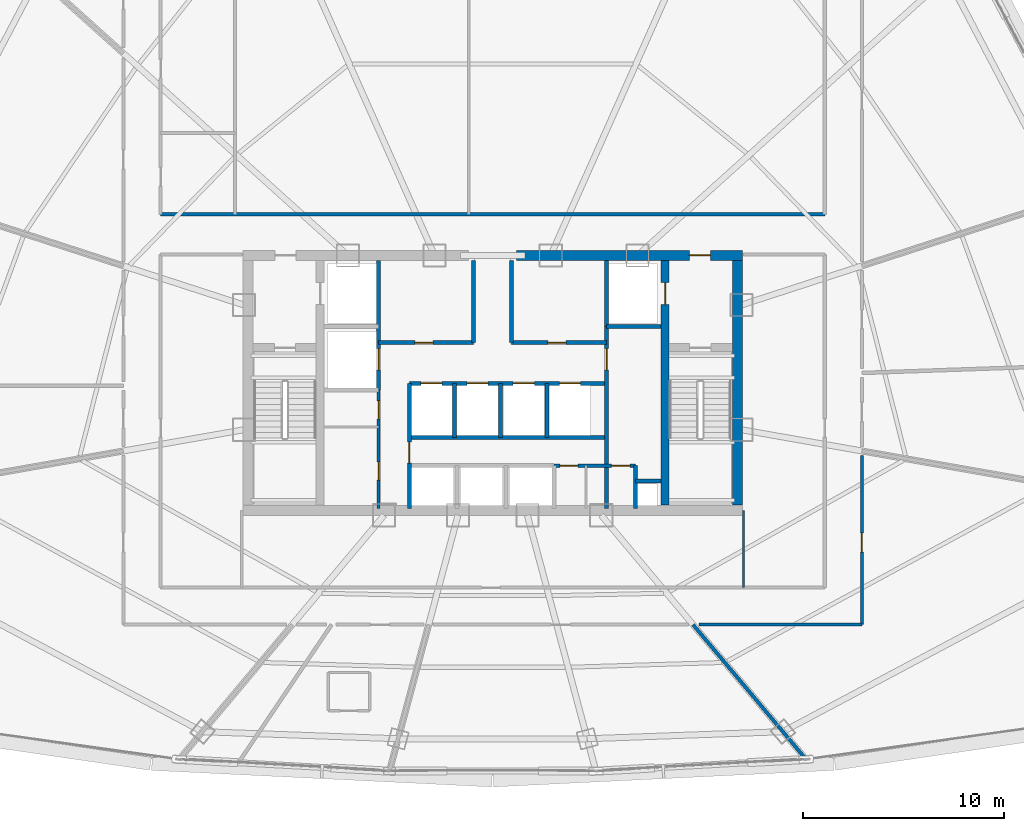
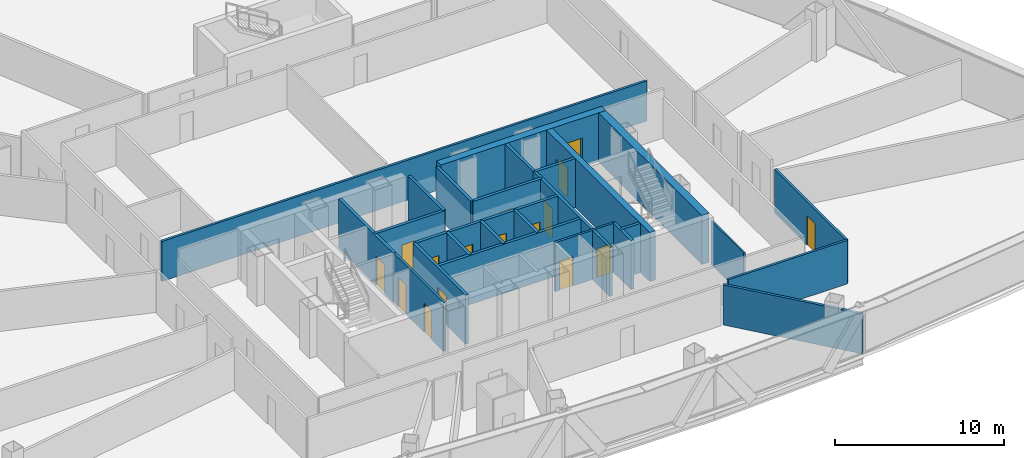
# One storey, part 32 of 38: 26 walls, 16 doors, 16 openings.
"""IFC4 building model written with IfcOpenShell, lengths in metres."""

import ifcopenshell
import ifcopenshell.guid

model = None  # the IFC model being written
_history = None  # IfcOwnerHistory: only IFC2X3 demands one
_inside = {}  # id of a spatial element -> (the spatial element, [elements in it])
_under = {}  # id of a project, library or spatial element -> (it, [spatial elements below it])
_declared = {}  # id of a project -> (the project, [libraries it declares])
_typed = {}  # id of a type object -> (the type object, [elements of that type])
_made_of = {}  # id of a material, layer set ... -> (it, [elements and type objects made of it])


def new_model(schema):
    """Start an empty IFC model of exactly this schema.

    Asked for "IFC4X3", IfcOpenShell would pick the latest addendum, in which some entities
    have other attributes; the version numbers below select the first issue.
    IFC2X3 requires an IfcOwnerHistory on every rooted entity: one is made here for all.
    """
    global model, _history
    if schema == "IFC4X3":
        model = ifcopenshell.file(schema_version=(4, 3, 0, 0))
    else:
        model = ifcopenshell.file(schema=schema)
    _inside.clear()
    _under.clear()
    _declared.clear()
    _typed.clear()
    _made_of.clear()
    _history = None
    if model.schema == "IFC2X3":
        org = make("IfcOrganization", Name="unknown")
        user = make(
            "IfcPersonAndOrganization",
            ThePerson=make("IfcPerson", FamilyName="unknown"),
            TheOrganization=org,
        )
        app = make(
            "IfcApplication",
            ApplicationDeveloper=org,
            Version="unknown",
            ApplicationFullName="unknown",
            ApplicationIdentifier="unknown",
        )
        _history = make(
            "IfcOwnerHistory",
            OwningUser=user,
            OwningApplication=app,
            ChangeAction="ADDED",
            CreationDate=0,
        )
    return model


def make(cls, **values):
    """One entity of the class cls with the attributes given. An attribute that is None is left unset."""
    return model.create_entity(
        cls, **{name: value for name, value in values.items() if value is not None}
    )


def rooted(cls, **values):
    """An entity with a GlobalId (a new one), such as an element, a storey or a relation."""
    return make(cls, GlobalId=ifcopenshell.guid.new(), OwnerHistory=_history, **values)


def si_unit(unit_type, name, prefix=None):
    """IfcSIUnit, for example si_unit("LENGTHUNIT", "METRE", prefix="MILLI")."""
    return make("IfcSIUnit", UnitType=unit_type, Prefix=prefix, Name=name)


def assignment(units):
    """IfcUnitAssignment: the units of a project."""
    return None if units is None else make("IfcUnitAssignment", Units=units)


def point(xyz):
    """IfcCartesianPoint."""
    return None if xyz is None else make("IfcCartesianPoint", Coordinates=xyz)


def direction(xyz):
    """IfcDirection."""
    return None if xyz is None else make("IfcDirection", DirectionRatios=xyz)


def frame(location, z_axis=None, x_axis=None):
    """IfcAxis2Placement3D, a coordinate frame: its origin and axes. An axis left out is left unset."""
    return make(
        "IfcAxis2Placement3D",
        Location=point(location),
        Axis=direction(z_axis),
        RefDirection=direction(x_axis),
    )


def frame_2d(location, x_axis=None):
    """IfcAxis2Placement2D, a coordinate frame in the plane: its origin and x axis."""
    return make(
        "IfcAxis2Placement2D", Location=point(location), RefDirection=direction(x_axis)
    )


def origin():
    """The frame at (0, 0, 0) with its axes left unset."""
    return frame((0.0, 0.0, 0.0))


def origin_with_axes():
    """The frame at (0, 0, 0) with the z axis (0, 0, 1) and the x axis (1, 0, 0) written out."""
    return frame((0.0, 0.0, 0.0), z_axis=(0.0, 0.0, 1.0), x_axis=(1.0, 0.0, 0.0))


def place(relative_to, where):
    """IfcLocalPlacement: puts the frame where relative to a parent placement (None: the world)."""
    return make(
        "IfcLocalPlacement", PlacementRelTo=relative_to, RelativePlacement=where
    )


def context(
    kind, dimensions, precision=None, world=None, true_north=None, identifier=None
):
    """IfcGeometricRepresentationContext, for example the 3D "Model" context."""
    return make(
        "IfcGeometricRepresentationContext",
        ContextIdentifier=identifier,
        ContextType=kind,
        CoordinateSpaceDimension=dimensions,
        Precision=precision,
        WorldCoordinateSystem=world,
        TrueNorth=true_north,
    )


def subcontext(parent, identifier, kind, view, scale=None):
    """IfcGeometricRepresentationSubContext, for example "Body" below "Model"."""
    return make(
        "IfcGeometricRepresentationSubContext",
        ContextIdentifier=identifier,
        ContextType=kind,
        ParentContext=parent,
        TargetScale=scale,
        TargetView=view,
    )


def project(units=None, contexts=None):
    """IfcProject with its units and contexts."""
    return rooted(
        "IfcProject",
        Name="project",
        RepresentationContexts=contexts,
        UnitsInContext=assignment(units),
    )


def spatial(cls, under=None, at=None, **own):
    """A site, building, storey or space (cls), placed at a placement, below another one or the project."""
    s = rooted(cls, ObjectPlacement=at, **own)
    if under is not None:
        _under.setdefault(under.id(), (under, []))[1].append(s)
    return s


def profile(cls, at=None, kind="AREA", **sizes):
    """A parametric profile (cls). Its sizes go by their IFC names, for example OverallWidth=200.0."""
    return make(cls, ProfileType=kind, Position=at, **sizes)


def rectangle(**sizes):
    """IfcRectangleProfileDef."""
    return profile("IfcRectangleProfileDef", **sizes)


def extrude(swept, where, along, depth):
    """IfcExtrudedAreaSolid: the profile swept, set in the frame where, extruded along a direction by depth."""
    return make(
        "IfcExtrudedAreaSolid",
        SweptArea=swept,
        Position=where,
        ExtrudedDirection=direction(along),
        Depth=depth,
    )


def shape(context_of_items, identifier, shape_type, items):
    """IfcShapeRepresentation: the items that make up one representation, for example the "Body"."""
    return make(
        "IfcShapeRepresentation",
        ContextOfItems=context_of_items,
        RepresentationIdentifier=identifier,
        RepresentationType=shape_type,
        Items=items,
    )


def source(mapping_origin, context_of_items, identifier, shape_type, items):
    """IfcRepresentationMap: a shape defined once, which mapped items show again and again."""
    return make(
        "IfcRepresentationMap",
        MappingOrigin=mapping_origin,
        MappedRepresentation=shape(context_of_items, identifier, shape_type, items),
    )


def transform(
    local_origin,
    x_axis=None,
    y_axis=None,
    z_axis=None,
    scale=None,
    scale2=None,
    scale3=None,
    uniform=True,
):
    """IfcCartesianTransformationOperator3D, or its non-uniform kind. x_axis, y_axis, z_axis: its Axis1, 2, 3."""
    if uniform:
        return make(
            "IfcCartesianTransformationOperator3D",
            Axis1=direction(x_axis),
            Axis2=direction(y_axis),
            LocalOrigin=point(local_origin),
            Scale=scale,
            Axis3=direction(z_axis),
        )
    return make(
        "IfcCartesianTransformationOperator3DnonUniform",
        Axis1=direction(x_axis),
        Axis2=direction(y_axis),
        LocalOrigin=point(local_origin),
        Scale=scale,
        Axis3=direction(z_axis),
        Scale2=scale2,
        Scale3=scale3,
    )


def mapped(mapping_source, mapping_target):
    """IfcMappedItem: shows the shape of a source again, moved by a transform."""
    return make(
        "IfcMappedItem", MappingSource=mapping_source, MappingTarget=mapping_target
    )


def material(Name=None, Category=None):
    """IfcMaterial."""
    return make("IfcMaterial", Name=Name, Category=Category)


def layer(
    of_material, thickness, ventilated=None, Name=None, Category=None, Priority=None
):
    """IfcMaterialLayer: one layer of a wall or slab, of a material (None: an air gap)."""
    return make(
        "IfcMaterialLayer",
        Material=of_material,
        LayerThickness=thickness,
        IsVentilated=ventilated,
        Name=Name,
        Category=Category,
        Priority=Priority,
    )


def layer_set(layers, Name=None):
    """IfcMaterialLayerSet."""
    return make("IfcMaterialLayerSet", MaterialLayers=layers, LayerSetName=Name)


def made_of(thing, what):
    """Note that an element or type object is made of a material, layer set ...; save() writes the relation."""
    if what is not None:
        _made_of.setdefault(what.id(), (what, []))[1].append(thing)
    return thing


def type_object(cls, material=None, **own):
    """A type object (cls), such as IfcWallType, which elements share."""
    return made_of(rooted(cls, **own), material)


def element(
    cls,
    number,
    at=None,
    inside=None,
    cuts=None,
    type_object=None,
    material=None,
    context=None,
    identifier="Body",
    shape_type=None,
    held_by="IfcProductDefinitionShape",
    body=None,
    shapes=None,
    **own,
):
    """One element of the class cls, such as IfcWall. Its Tag is "e" and its number.

    at: its placement. inside: the storey or other place that contains it. cuts: it is an
    opening in that element (IfcRelVoidsElement). A single representation is given by context,
    identifier, shape_type and body (its items); several are given by shapes. held_by: the class
    of the entity that holds the representations. save() writes the other relations.
    """
    e = rooted(cls, Tag="e%d" % number, ObjectPlacement=at, **own)
    if body is not None:
        shapes = [shape(context, identifier, shape_type, body)]
    if shapes is not None:
        e.Representation = make(held_by, Representations=shapes)
    if inside is not None:
        _inside.setdefault(inside.id(), (inside, []))[1].append(e)
    if cuts is not None:
        rooted(
            "IfcRelVoidsElement", RelatingBuildingElement=cuts, RelatedOpeningElement=e
        )
    if type_object is not None:
        _typed.setdefault(type_object.id(), (type_object, []))[1].append(e)
    return made_of(e, material)


def fill(opening, filler):
    """IfcRelFillsElement: the door or window that sits in an opening."""
    return rooted(
        "IfcRelFillsElement",
        RelatingOpeningElement=opening,
        RelatedBuildingElement=filler,
    )


def aggregate(whole, parts):
    """IfcRelAggregates: a whole, such as a stair, and the parts it consists of."""
    return rooted("IfcRelAggregates", RelatingObject=whole, RelatedObjects=parts)


def save(model, path):
    """Write the relations noted so far, then the file.

    IfcRelAggregates (storeys below a building ...), IfcRelContainedInSpatialStructure (elements
    in a storey), IfcRelDefinesByType, IfcRelAssociatesMaterial and IfcRelDeclares: one each for
    every whole, place, type object, material and project.
    """
    for whole, parts in _under.values():
        aggregate(whole, parts)
    for where, things in _inside.values():
        rooted(
            "IfcRelContainedInSpatialStructure",
            RelatedElements=things,
            RelatingStructure=where,
        )
    for kind, things in _typed.values():
        rooted("IfcRelDefinesByType", RelatedObjects=things, RelatingType=kind)
    for what, things in _made_of.values():
        rooted("IfcRelAssociatesMaterial", RelatedObjects=things, RelatingMaterial=what)
    for by, libraries in _declared.values():
        rooted("IfcRelDeclares", RelatingContext=by, RelatedDefinitions=libraries)
    model.write(path)


model = new_model("IFC4")

# Units and contexts
model_context = context("Model", 3, precision=1e-05, world=origin(), true_north=direction((0.0, 1.0)))
body_context = subcontext(model_context, "Body", "Model", "MODEL_VIEW")
ifc_project = project(units=[si_unit("LENGTHUNIT", "METRE"), si_unit("AREAUNIT", "SQUARE_METRE"), si_unit("VOLUMEUNIT", "CUBIC_METRE"), si_unit("PLANEANGLEUNIT", "RADIAN"), si_unit("MASSUNIT", "GRAM", prefix="KILO"), si_unit("THERMODYNAMICTEMPERATUREUNIT", "KELVIN"), si_unit("POWERUNIT", "WATT")], contexts=[model_context])

# Site, building, storey
site_placement = place(None, origin())
site = spatial("IfcSite", under=ifc_project, at=site_placement, CompositionType="ELEMENT")
building_placement = place(site_placement, origin())
building = spatial("IfcBuilding", under=site, at=building_placement, Name="Yunzhuo Pagoda Commons", CompositionType="ELEMENT")
storey_placement = place(building_placement, frame((0.0, 0.0, 203.760009765625)))
storey = spatial("IfcBuildingStorey", under=building, at=storey_placement, Name="L51", CompositionType="ELEMENT", Elevation=203.760009765625)

# Wall, opening, door
ifc_material_1 = material(Name="Concrete C50", Category="concrete")
ifc_layer_1 = layer(ifc_material_1, 0.5)
ifc_layer_set_1 = layer_set([ifc_layer_1], Name="Concrete C50")
wall_type_1 = type_object("IfcWallType", Name="W-C03 Upper Core Shear Wall 500", PredefinedType="SHEAR", material=ifc_layer_set_1)
wall_1_placement = place(storey_placement, frame((49.199951171875, 40.199951171875, 0.0), z_axis=(0.0, 0.0, 1.0), x_axis=(1.0, 0.0, 0.0)))
wall_1 = element("IfcWall", 1, at=wall_1_placement, inside=storey, type_object=wall_type_1, Name="L51 core shear wall NE", PredefinedType="SHEAR", context=body_context, shape_type="SweptSolid", body=[
    extrude(rectangle(XDim=11.25, YDim=0.5, at=frame_2d((5.625, 0.0))), origin(), (0.0, 0.0, 1.0), 3.5400390625),
])
opening_1_placement = place(wall_1_placement, frame((8.60009765625, 0.0, 0.0)))
opening_1 = element("IfcOpeningElement", 2, at=opening_1_placement, cuts=wall_1, Name="Opening D-02", PredefinedType="OPENING", context=body_context, shape_type="SweptSolid", body=[
    extrude(rectangle(XDim=1.050048828125, YDim=2.10009765625, at=frame_2d((0.52490234375, 1.050048828125))), frame((0.0, 0.260009765625, 0.0), z_axis=(0.0, -1.0, 0.0), x_axis=(1.0, 0.0, 0.0)), (0.0, 0.0, 1.0), 0.52001953125),
])
ifc_material_2 = material(Name="Galvanized fire-resisting metal leaf")
door_type_1 = type_object("IfcDoorType", Name="D-02 Firefighting Lobby & Refuge Fire Door 1050x2100", OperationType="NOTDEFINED", PredefinedType="DOOR", material=ifc_material_2)
shared_shape_1 = source(origin(), body_context, "Body", "SweptSolid", [
    extrude(rectangle(XDim=1.050048828125, YDim=2.10009765625, at=frame_2d((0.52490234375, 1.050048828125))), frame((0.0, 0.02490234375, 0.0), z_axis=(0.0, -1.0, 0.0), x_axis=(1.0, 0.0, 0.0)), (0.0, 0.0, 1.0), 0.050048828125),
])
door_1_placement = place(opening_1_placement, frame((1.050048828125, 0.0, 0.0), z_axis=(0.0, 0.0, 1.0), x_axis=(-1.0, 0.0, 0.0)))
door_1 = element("IfcDoor", 3, at=door_1_placement, inside=storey, type_object=door_type_1, Name="L51 Firefighting Lobby 2 fire door", OperationType="SINGLE_SWING_RIGHT", OverallHeight=2.10009765625, OverallWidth=1.050048828125, PredefinedType="DOOR", context=body_context, shape_type="MappedRepresentation", body=[
    mapped(shared_shape_1, transform((0.0, 0.0, 0.0), scale=1.0)),
])
fill(opening_1, door_1)

# Wall
wall_2_placement = place(storey_placement, frame((60.199951171875, 27.75, 0.0), z_axis=(0.0, 0.0, 1.0), x_axis=(0.0, 1.0, 0.0)))
element("IfcWall", 4, at=wall_2_placement, inside=storey, type_object=wall_type_1, Name="L51 core shear wall E", PredefinedType="SHEAR", context=body_context, shape_type="SweptSolid", body=[
    extrude(rectangle(XDim=12.199951171875, YDim=0.5, at=frame_2d((6.10009765625, 0.0))), origin(), (0.0, 0.0, 1.0), 3.5400390625),
])

# Wall, openings, doors
ifc_material_3 = material(Name="Gypsum plasterboard on acoustic stud")
ifc_layer_2 = layer(ifc_material_3, 0.155029296875)
ifc_layer_set_2 = layer_set([ifc_layer_2], Name="Gypsum plasterboard on acoustic stud")
wall_type_2 = type_object("IfcWallType", Name="W-COR2 Mid-Zone Rated Corridor Wall 155", PredefinedType="PARTITIONING", material=ifc_layer_set_2)
wall_3_placement = place(storey_placement, frame((42.320068359375, 27.60009765625, 0.0), z_axis=(0.0, 0.0, 1.0), x_axis=(0.0, 1.0, 0.0)))
wall_3 = element("IfcWall", 5, at=wall_3_placement, inside=storey, type_object=wall_type_2, Name="L51 interior wall IW-L51-CSWE", PredefinedType="PARTITIONING", context=body_context, shape_type="SweptSolid", body=[
    extrude(rectangle(XDim=5.89990234375, YDim=0.155029296875, at=frame_2d((2.949951171875, 0.0))), origin(), (0.0, 0.0, 1.0), 3.5400390625),
])
opening_2_placement = place(wall_3_placement, frame((1.39990234375, 0.0, 0.0)))
opening_2 = element("IfcOpeningElement", 6, at=opening_2_placement, cuts=wall_3, Name="Opening D-03", PredefinedType="OPENING", context=body_context, shape_type="SweptSolid", body=[
    extrude(rectangle(XDim=0.89990234375, YDim=2.10009765625, at=frame_2d((0.449951171875, 1.050048828125))), frame((0.0, 0.08740234375, 0.0), z_axis=(0.0, -1.0, 0.0), x_axis=(1.0, 0.0, 0.0)), (0.0, 0.0, 1.0), 0.175048828125),
])
opening_3_placement = place(wall_3_placement, frame((4.449951171875, 0.0, 0.0)))
opening_3 = element("IfcOpeningElement", 7, at=opening_3_placement, cuts=wall_3, Name="Opening D-03", PredefinedType="OPENING", context=body_context, shape_type="SweptSolid", body=[
    extrude(rectangle(XDim=0.89990234375, YDim=2.10009765625, at=frame_2d((0.449951171875, 1.050048828125))), frame((0.0, 0.08740234375, 0.0), z_axis=(0.0, -1.0, 0.0), x_axis=(1.0, 0.0, 0.0)), (0.0, 0.0, 1.0), 0.175048828125),
])
door_type_2 = type_object("IfcDoorType", Name="D-03 Core Service Fire Door 900x2100", OperationType="NOTDEFINED", PredefinedType="DOOR", material=ifc_material_2)
shared_shape_2 = source(origin(), body_context, "Body", "SweptSolid", [
    extrude(rectangle(XDim=0.89990234375, YDim=2.10009765625, at=frame_2d((0.449951171875, 1.050048828125))), frame((0.0, 0.02490234375, 0.0), z_axis=(0.0, -1.0, 0.0), x_axis=(1.0, 0.0, 0.0)), (0.0, 0.0, 1.0), 0.050048828125),
])
door_2_placement = place(opening_2_placement, origin_with_axes())
door_2 = element("IfcDoor", 8, at=door_2_placement, inside=storey, type_object=door_type_2, Name="L51 service store door", OperationType="SINGLE_SWING_LEFT", OverallHeight=2.10009765625, OverallWidth=0.89990234375, PredefinedType="DOOR", context=body_context, shape_type="MappedRepresentation", body=[
    mapped(shared_shape_2, transform((0.0, 0.0, 0.0), scale=1.0)),
])
fill(opening_2, door_2)
door_3_placement = place(opening_3_placement, origin_with_axes())
door_3 = element("IfcDoor", 9, at=door_3_placement, inside=storey, type_object=door_type_2, Name="L51 switch closet door", OperationType="SINGLE_SWING_RIGHT", OverallHeight=2.10009765625, OverallWidth=0.89990234375, PredefinedType="DOOR", context=body_context, shape_type="MappedRepresentation", body=[
    mapped(shared_shape_2, transform((0.0, 0.0, 0.0), scale=1.0)),
])
fill(opening_3, door_3)

wall_4_placement = place(storey_placement, frame((51.050048828125, 29.719970703125, 0.0), z_axis=(0.0, 0.0, 1.0), x_axis=(1.0, 0.0, 0.0)))
wall_4 = element("IfcWall", 10, at=wall_4_placement, inside=storey, type_object=wall_type_2, Name="L51 interior wall IW-L51-CSES", PredefinedType="PARTITIONING", context=body_context, shape_type="SweptSolid", body=[
    extrude(rectangle(XDim=4.070068359375, YDim=0.155029296875, at=frame_2d((2.03515625, 0.0))), origin(), (0.0, 0.0, 1.0), 3.5400390625),
])
opening_4_placement = place(wall_4_placement, frame((0.300048828125, 0.0, 0.0)))
opening_4 = element("IfcOpeningElement", 11, at=opening_4_placement, cuts=wall_4, Name="Opening D-03", PredefinedType="OPENING", context=body_context, shape_type="SweptSolid", body=[
    extrude(rectangle(XDim=0.89990234375, YDim=2.10009765625, at=frame_2d((0.449951171875, 1.050048828125))), frame((0.0, 0.08740234375, 0.0), z_axis=(0.0, -1.0, 0.0), x_axis=(1.0, 0.0, 0.0)), (0.0, 0.0, 1.0), 0.175048828125),
])
opening_5_placement = place(wall_4_placement, frame((2.860107421875, 0.0, 0.0)))
opening_5 = element("IfcOpeningElement", 12, at=opening_5_placement, cuts=wall_4, Name="Opening D-11", PredefinedType="OPENING", context=body_context, shape_type="SweptSolid", body=[
    extrude(rectangle(XDim=0.93994140625, YDim=2.10009765625, at=frame_2d((0.469970703125, 1.050048828125))), frame((0.0, 0.08740234375, 0.0), z_axis=(0.0, -1.0, 0.0), x_axis=(1.0, 0.0, 0.0)), (0.0, 0.0, 1.0), 0.175048828125),
])
door_4_placement = place(opening_4_placement, origin_with_axes())
door_4 = element("IfcDoor", 13, at=door_4_placement, inside=storey, type_object=door_type_2, Name="L51 cleaner door", OperationType="SINGLE_SWING_LEFT", OverallHeight=2.10009765625, OverallWidth=0.89990234375, PredefinedType="DOOR", context=body_context, shape_type="MappedRepresentation", body=[
    mapped(shared_shape_2, transform((0.0, 0.0, 0.0), scale=1.0)),
])
fill(opening_4, door_4)
door_type_3 = type_object("IfcDoorType", Name="D-11 Accessible Washroom Fire Door 940x2100", OperationType="NOTDEFINED", PredefinedType="DOOR", material=ifc_material_2)
shared_shape_3 = source(origin(), body_context, "Body", "SweptSolid", [
    extrude(rectangle(XDim=0.93994140625, YDim=2.10009765625, at=frame_2d((0.469970703125, 1.050048828125))), frame((0.0, 0.02490234375, 0.0), z_axis=(0.0, -1.0, 0.0), x_axis=(1.0, 0.0, 0.0)), (0.0, 0.0, 1.0), 0.050048828125),
])
door_5_placement = place(opening_5_placement, origin_with_axes())
door_5 = element("IfcDoor", 14, at=door_5_placement, inside=storey, type_object=door_type_3, Name="L51 core WC door", OperationType="SINGLE_SWING_RIGHT", OverallHeight=2.10009765625, OverallWidth=0.93994140625, PredefinedType="DOOR", context=body_context, shape_type="MappedRepresentation", body=[
    mapped(shared_shape_3, transform((0.0, 0.0, 0.0), scale=1.0)),
])
fill(opening_5, door_5)

# Wall
wall_5_placement = place(storey_placement, frame((31.449951171875, 42.25, 0.0), z_axis=(0.0, 0.0, 1.0), x_axis=(1.0, 0.0, 0.0)))
element("IfcWall", 15, at=wall_5_placement, inside=storey, type_object=wall_type_2, Name="L51 interior wall IW-L51-MCNS", PredefinedType="PARTITIONING", context=body_context, shape_type="SweptSolid", body=[
    extrude(rectangle(XDim=33.10009765625, YDim=0.155029296875, at=frame_2d((16.550048828125, 0.0))), origin(), (0.0, 0.0, 1.0), 2.889892578125),
])

# Wall, opening, door
wall_6_placement = place(storey_placement, frame((66.39990234375, 30.232177734375, 0.0), z_axis=(0.0, 0.0, 1.0), x_axis=(0.0, -1.0, 0.0)))
wall_6 = element("IfcWall", 16, at=wall_6_placement, inside=storey, type_object=wall_type_2, Name="L51 interior wall IW-L51-CWL13", PredefinedType="PARTITIONING", context=body_context, shape_type="SweptSolid", body=[
    extrude(rectangle(XDim=8.43212890625, YDim=0.155029296875, at=frame_2d((4.216064453125, 0.0))), origin(), (0.0, 0.0, 1.0), 3.139892578125),
])
opening_6_placement = place(wall_6_placement, frame((3.859375, 0.0, 0.0)))
opening_6 = element("IfcOpeningElement", 17, at=opening_6_placement, cuts=wall_6, Name="Opening D-07", PredefinedType="OPENING", context=body_context, shape_type="SweptSolid", body=[
    extrude(rectangle(XDim=0.9599609375, YDim=2.1201171875, at=frame_2d((0.47998046875, 1.06005859375))), frame((0.0, 0.08740234375, 0.0), z_axis=(0.0, -1.0, 0.0), x_axis=(1.0, 0.0, 0.0)), (0.0, 0.0, 1.0), 0.175048828125),
])
door_type_4 = type_object("IfcDoorType", Name="D-07 Mid-Zone Suite Entrance Fire Door 960x2120", OperationType="NOTDEFINED", PredefinedType="DOOR", material=ifc_material_2)
shared_shape_4 = source(origin(), body_context, "Body", "SweptSolid", [
    extrude(rectangle(XDim=0.9599609375, YDim=2.1201171875, at=frame_2d((0.47998046875, 1.06005859375))), frame((0.0, 0.02490234375, 0.0), z_axis=(0.0, -1.0, 0.0), x_axis=(1.0, 0.0, 0.0)), (0.0, 0.0, 1.0), 0.050048828125),
])
door_6_placement = place(opening_6_placement, origin_with_axes())
door_6 = element("IfcDoor", 18, at=door_6_placement, inside=storey, type_object=door_type_4, Name="L51 unit 13 entrance door", OperationType="SINGLE_SWING_LEFT", OverallHeight=2.1201171875, OverallWidth=0.9599609375, PredefinedType="DOOR", context=body_context, shape_type="MappedRepresentation", body=[
    mapped(shared_shape_4, transform((0.0, 0.0, 0.0), scale=1.0)),
])
fill(opening_6, door_6)

# Walls
wall_7_placement = place(storey_placement, frame((66.39990234375, 21.800048828125, 0.0), z_axis=(0.0, 0.0, 1.0), x_axis=(-1.0, 0.0, 0.0)))
element("IfcWall", 19, at=wall_7_placement, inside=storey, type_object=wall_type_2, Name="L51 interior wall IW-L51-CWL14", PredefinedType="PARTITIONING", context=body_context, shape_type="SweptSolid", body=[
    extrude(rectangle(XDim=8.12744140625, YDim=0.155029296875, at=frame_2d((4.063720703125, 0.0))), origin(), (0.0, 0.0, 1.0), 3.139892578125),
])
ifc_layer_3 = layer(ifc_material_3, 0.1201171875)
ifc_layer_set_3 = layer_set([ifc_layer_3], Name="Gypsum plasterboard on acoustic stud")
wall_type_3 = type_object("IfcWallType", Name="W-PRT1 Suite & Bathroom Partition 120", PredefinedType="PARTITIONING", material=ifc_layer_set_3)
wall_8_placement = place(storey_placement, frame((60.5, 23.64990234375, 0.0), z_axis=(0.0, 0.0, 1.0), x_axis=(0.0, 1.0, 0.0)))
element("IfcWall", 20, at=wall_8_placement, inside=storey, type_object=wall_type_3, Name="L51 interior wall IW-L51-SFLD2", PredefinedType="PARTITIONING", context=body_context, shape_type="SweptSolid", body=[
    extrude(rectangle(XDim=3.85009765625, YDim=0.1201171875, at=frame_2d((1.925048828125, 0.0))), origin(), (0.0, 0.0, 1.0), 3.139892578125),
])
ifc_layer_4 = layer(ifc_material_3, 0.175048828125)
ifc_layer_set_4 = layer_set([ifc_layer_4], Name="Gypsum plasterboard on acoustic stud")
wall_type_4 = type_object("IfcWallType", Name="W-PRT3 Mid-Zone Demising Wall 175", PredefinedType="PARTITIONING", material=ifc_layer_set_4)
wall_9_placement = place(storey_placement, frame((57.9853515625, 21.800048828125, 0.0), z_axis=(0.0, 0.0, 1.0), x_axis=(0.642774108653, -0.766055771629, 0.0)))
element("IfcWall", 21, at=wall_9_placement, inside=storey, type_object=wall_type_4, Name="L51 interior wall IW-L51-RAD13", PredefinedType="PARTITIONING", context=body_context, shape_type="SweptSolid", body=[
    extrude(rectangle(XDim=8.76904296875, YDim=0.175048828125, at=frame_2d((4.384521484375, 0.0))), origin(), (0.0, 0.0, 1.0), 2.889892578125),
])

# Wall, opening, door
ifc_material_4 = material(Name="Concrete C60", Category="concrete")
ifc_layer_5 = layer(ifc_material_4, 0.39990234375)
ifc_layer_set_5 = layer_set([ifc_layer_5], Name="Concrete C60")
wall_type_5 = type_object("IfcWallType", Name="W-S01 Internal Core Shear Web 400", PredefinedType="SHEAR", material=ifc_layer_set_5)
wall_10_placement = place(storey_placement, frame((56.60009765625, 27.75, 0.0), z_axis=(0.0, 0.0, 1.0), x_axis=(0.0, 1.0, 0.0)))
wall_10 = element("IfcWall", 22, at=wall_10_placement, inside=storey, type_object=wall_type_5, Name="L51 core shear wall WEBE", PredefinedType="SHEAR", context=body_context, shape_type="SweptSolid", body=[
    extrude(rectangle(XDim=12.199951171875, YDim=0.39990234375, at=frame_2d((6.10009765625, 0.0))), origin(), (0.0, 0.0, 1.0), 3.5400390625),
])
opening_7_placement = place(wall_10_placement, frame((10.0, 0.0, 0.0)))
opening_7 = element("IfcOpeningElement", 23, at=opening_7_placement, cuts=wall_10, Name="Opening LD-01", PredefinedType="OPENING", context=body_context, shape_type="SweptSolid", body=[
    extrude(rectangle(XDim=1.10009765625, YDim=2.10009765625, at=frame_2d((0.550048828125, 1.050048828125))), frame((0.0, 0.2099609375, 0.0), z_axis=(0.0, -1.0, 0.0), x_axis=(1.0, 0.0, 0.0)), (0.0, 0.0, 1.0), 0.419921875),
])
door_type_5 = type_object("IfcDoorType", Name="LD-01 Firefighting Lift Landing Door 1100x2100", OperationType="DOUBLE_DOOR_SLIDING", PredefinedType="DOOR", material=ifc_material_2)
shared_shape_5 = source(origin(), body_context, "Body", "SweptSolid", [
    extrude(rectangle(XDim=1.10009765625, YDim=2.10009765625, at=frame_2d((0.550048828125, 1.050048828125))), frame((0.0, 0.02490234375, 0.0), z_axis=(0.0, -1.0, 0.0), x_axis=(1.0, 0.0, 0.0)), (0.0, 0.0, 1.0), 0.050048828125),
])
door_7_placement = place(opening_7_placement, origin_with_axes())
door_7 = element("IfcDoor", 24, at=door_7_placement, inside=storey, type_object=door_type_5, Name="L51 Firefighting lift FL-2 landing door", OperationType="DOUBLE_DOOR_SLIDING", OverallHeight=2.10009765625, OverallWidth=1.10009765625, PredefinedType="DOOR", context=body_context, shape_type="MappedRepresentation", body=[
    mapped(shared_shape_5, transform((0.0, 0.0, 0.0), scale=1.0)),
])
fill(opening_7, door_7)

ifc_material_5 = material(Name="Concrete C40", Category="concrete")
ifc_layer_6 = layer(ifc_material_5, 0.199951171875)
ifc_layer_set_6 = layer_set([ifc_layer_6], Name="Concrete C40")
wall_type_6 = type_object("IfcWallType", Name="W-SHF Shaft & Stair Enclosure Wall 200", PredefinedType="SOLIDWALL", material=ifc_layer_set_6)
wall_11_placement = place(storey_placement, frame((42.320068359375, 33.5, 0.0), z_axis=(0.0, 0.0, 1.0), x_axis=(0.0, 1.0, 0.0)))
wall_11 = element("IfcWall", 25, at=wall_11_placement, inside=storey, type_object=wall_type_6, Name="L51 interior wall IW-L51-FL1E", PredefinedType="SOLIDWALL", context=body_context, shape_type="SweptSolid", body=[
    extrude(rectangle(XDim=6.449951171875, YDim=0.199951171875, at=frame_2d((3.22509765625, 0.0))), origin(), (0.0, 0.0, 1.0), 3.5400390625),
])
opening_8_placement = place(wall_11_placement, frame((1.0, 0.0, 0.0)))
opening_8 = element("IfcOpeningElement", 26, at=opening_8_placement, cuts=wall_11, Name="Opening LD-02", PredefinedType="OPENING", context=body_context, shape_type="SweptSolid", body=[
    extrude(rectangle(XDim=1.050048828125, YDim=2.10009765625, at=frame_2d((0.52490234375, 1.050048828125))), frame((0.0, 0.10986328125, 0.0), z_axis=(0.0, -1.0, 0.0), x_axis=(1.0, 0.0, 0.0)), (0.0, 0.0, 1.0), 0.219970703125),
])
door_type_6 = type_object("IfcDoorType", Name="LD-02 Passenger Lift Landing Door 1050x2100", OperationType="DOUBLE_DOOR_SLIDING", PredefinedType="DOOR", material=ifc_material_2)
door_8_placement = place(opening_8_placement, origin_with_axes())
door_8 = element("IfcDoor", 27, at=door_8_placement, inside=storey, type_object=door_type_6, Name="L51 Service lift SL-1 landing door", OperationType="DOUBLE_DOOR_SLIDING", OverallHeight=2.10009765625, OverallWidth=1.050048828125, PredefinedType="DOOR", context=body_context, shape_type="MappedRepresentation", body=[
    mapped(shared_shape_1, transform((0.0, 0.0, 0.0), scale=1.0)),
])
fill(opening_8, door_8)

# Walls
wall_12_placement = place(storey_placement, frame((53.679931640625, 36.64990234375, 0.0), z_axis=(0.0, 0.0, 1.0), x_axis=(0.0, 1.0, 0.0)))
element("IfcWall", 28, at=wall_12_placement, inside=storey, type_object=wall_type_6, Name="L51 interior wall IW-L51-FL2W", PredefinedType="SOLIDWALL", context=body_context, shape_type="SweptSolid", body=[
    extrude(rectangle(XDim=3.300048828125, YDim=0.199951171875, at=frame_2d((1.64990234375, 0.0))), origin(), (0.0, 0.0, 1.0), 3.5400390625),
])
wall_13_placement = place(storey_placement, frame((53.679931640625, 36.64990234375, 0.0), z_axis=(0.0, 0.0, 1.0), x_axis=(1.0, 0.0, 0.0)))
element("IfcWall", 29, at=wall_13_placement, inside=storey, type_object=wall_type_6, Name="L51 interior wall IW-L51-FL2S", PredefinedType="SOLIDWALL", context=body_context, shape_type="SweptSolid", body=[
    extrude(rectangle(XDim=2.719970703125, YDim=0.199951171875, at=frame_2d((1.35986328125, 0.0))), origin(), (0.0, 0.0, 1.0), 3.5400390625),
])

# Wall, opening, door
wall_14_placement = place(storey_placement, frame((42.320068359375, 35.85009765625, 0.0), z_axis=(0.0, 0.0, 1.0), x_axis=(1.0, 0.0, 0.0)))
wall_14 = element("IfcWall", 30, at=wall_14_placement, inside=storey, type_object=wall_type_6, Name="L51 interior wall IW-L51-LBNW", PredefinedType="SOLIDWALL", context=body_context, shape_type="SweptSolid", body=[
    extrude(rectangle(XDim=4.72998046875, YDim=0.199951171875, at=frame_2d((2.364990234375, 0.0))), origin(), (0.0, 0.0, 1.0), 3.5400390625),
])
opening_9_placement = place(wall_14_placement, frame((1.800048828125, 0.0, 0.0)))
opening_9 = element("IfcOpeningElement", 31, at=opening_9_placement, cuts=wall_14, Name="Opening D-03", PredefinedType="OPENING", context=body_context, shape_type="SweptSolid", body=[
    extrude(rectangle(XDim=0.89990234375, YDim=2.10009765625, at=frame_2d((0.449951171875, 1.050048828125))), frame((0.0, 0.10986328125, 0.0), z_axis=(0.0, -1.0, 0.0), x_axis=(1.0, 0.0, 0.0)), (0.0, 0.0, 1.0), 0.219970703125),
])
door_9_placement = place(opening_9_placement, frame((0.89990234375, 0.0, 0.0), z_axis=(0.0, 0.0, 1.0), x_axis=(-1.0, 0.0, 0.0)))
door_9 = element("IfcDoor", 32, at=door_9_placement, inside=storey, type_object=door_type_2, Name="L51 core west store door", OperationType="SINGLE_SWING_LEFT", OverallHeight=2.10009765625, OverallWidth=0.89990234375, PredefinedType="DOOR", context=body_context, shape_type="MappedRepresentation", body=[
    mapped(shared_shape_2, transform((0.0, 0.0, 0.0), scale=1.0)),
])
fill(opening_9, door_9)

wall_15_placement = place(storey_placement, frame((48.949951171875, 35.85009765625, 0.0), z_axis=(0.0, 0.0, 1.0), x_axis=(1.0, 0.0, 0.0)))
wall_15 = element("IfcWall", 33, at=wall_15_placement, inside=storey, type_object=wall_type_6, Name="L51 interior wall IW-L51-LBNE", PredefinedType="SOLIDWALL", context=body_context, shape_type="SweptSolid", body=[
    extrude(rectangle(XDim=4.72998046875, YDim=0.199951171875, at=frame_2d((2.364990234375, 0.0))), origin(), (0.0, 0.0, 1.0), 3.5400390625),
])
opening_10_placement = place(wall_15_placement, frame((1.800048828125, 0.0, 0.0)))
opening_10 = element("IfcOpeningElement", 34, at=opening_10_placement, cuts=wall_15, Name="Opening D-03", PredefinedType="OPENING", context=body_context, shape_type="SweptSolid", body=[
    extrude(rectangle(XDim=0.89990234375, YDim=2.10009765625, at=frame_2d((0.449951171875, 1.050048828125))), frame((0.0, 0.10986328125, 0.0), z_axis=(0.0, -1.0, 0.0), x_axis=(1.0, 0.0, 0.0)), (0.0, 0.0, 1.0), 0.219970703125),
])
door_10_placement = place(opening_10_placement, frame((0.89990234375, 0.0, 0.0), z_axis=(0.0, 0.0, 1.0), x_axis=(-1.0, 0.0, 0.0)))
door_10 = element("IfcDoor", 35, at=door_10_placement, inside=storey, type_object=door_type_2, Name="L51 core east store door", OperationType="SINGLE_SWING_RIGHT", OverallHeight=2.10009765625, OverallWidth=0.89990234375, PredefinedType="DOOR", context=body_context, shape_type="MappedRepresentation", body=[
    mapped(shared_shape_2, transform((0.0, 0.0, 0.0), scale=1.0)),
])
fill(opening_10, door_10)

# Walls
for number, where, z_axis, x_axis, name in (
    (36, (47.050048828125, 35.85009765625, 0.0), (0.0, 0.0, 1.0), (0.0, 1.0, 0.0), "L51 interior wall IW-L51-THRW"),
    (37, (48.949951171875, 35.85009765625, 0.0), (0.0, 0.0, 1.0), (0.0, 1.0, 0.0), "L51 interior wall IW-L51-THRE"),
):
    element("IfcWall", number, at=place(storey_placement, frame(where, z_axis=z_axis, x_axis=x_axis)), inside=storey, type_object=wall_type_6, Name=name, PredefinedType="SOLIDWALL", context=body_context, shape_type="SweptSolid", body=[
        extrude(rectangle(XDim=4.099853515625, YDim=0.199951171875, at=frame_2d((2.0498046875, 0.0))), origin(), (0.0, 0.0, 1.0), 3.5400390625),
    ])

# Wall, openings, doors
wall_16_placement = place(storey_placement, frame((43.85009765625, 33.820068359375, 0.0), z_axis=(0.0, 0.0, 1.0), x_axis=(1.0, 0.0, 0.0)))
wall_16 = element("IfcWall", 38, at=wall_16_placement, inside=storey, type_object=wall_type_6, Name="L51 interior wall IW-L51-MLBS", PredefinedType="SOLIDWALL", context=body_context, shape_type="SweptSolid", body=[
    extrude(rectangle(XDim=9.829833984375, YDim=0.199951171875, at=frame_2d((4.9150390625, 0.0))), origin(), (0.0, 0.0, 1.0), 3.5400390625),
])
opening_11_placement = place(wall_16_placement, frame((0.574951171875, 0.0, 0.0)))
opening_11 = element("IfcOpeningElement", 39, at=opening_11_placement, cuts=wall_16, Name="Opening LD-02", PredefinedType="OPENING", context=body_context, shape_type="SweptSolid", body=[
    extrude(rectangle(XDim=1.050048828125, YDim=2.10009765625, at=frame_2d((0.52490234375, 1.050048828125))), frame((0.0, 0.10986328125, 0.0), z_axis=(0.0, -1.0, 0.0), x_axis=(1.0, 0.0, 0.0)), (0.0, 0.0, 1.0), 0.219970703125),
])
opening_12_placement = place(wall_16_placement, frame((2.875, 0.0, 0.0)))
opening_12 = element("IfcOpeningElement", 40, at=opening_12_placement, cuts=wall_16, Name="Opening LD-02", PredefinedType="OPENING", context=body_context, shape_type="SweptSolid", body=[
    extrude(rectangle(XDim=1.050048828125, YDim=2.10009765625, at=frame_2d((0.52490234375, 1.050048828125))), frame((0.0, 0.10986328125, 0.0), z_axis=(0.0, -1.0, 0.0), x_axis=(1.0, 0.0, 0.0)), (0.0, 0.0, 1.0), 0.219970703125),
])
opening_13_placement = place(wall_16_placement, frame((5.175048828125, 0.0, 0.0)))
opening_13 = element("IfcOpeningElement", 41, at=opening_13_placement, cuts=wall_16, Name="Opening LD-02", PredefinedType="OPENING", context=body_context, shape_type="SweptSolid", body=[
    extrude(rectangle(XDim=1.050048828125, YDim=2.10009765625, at=frame_2d((0.52490234375, 1.050048828125))), frame((0.0, 0.10986328125, 0.0), z_axis=(0.0, -1.0, 0.0), x_axis=(1.0, 0.0, 0.0)), (0.0, 0.0, 1.0), 0.219970703125),
])
opening_14_placement = place(wall_16_placement, frame((7.47509765625, 0.0, 0.0)))
opening_14 = element("IfcOpeningElement", 42, at=opening_14_placement, cuts=wall_16, Name="Opening LD-02", PredefinedType="OPENING", context=body_context, shape_type="SweptSolid", body=[
    extrude(rectangle(XDim=1.050048828125, YDim=2.10009765625, at=frame_2d((0.52490234375, 1.050048828125))), frame((0.0, 0.10986328125, 0.0), z_axis=(0.0, -1.0, 0.0), x_axis=(1.0, 0.0, 0.0)), (0.0, 0.0, 1.0), 0.219970703125),
])
door_11_placement = place(opening_11_placement, origin_with_axes())
door_11 = element("IfcDoor", 43, at=door_11_placement, inside=storey, type_object=door_type_6, Name="L51 Passenger lift PL-M1 landing door", OperationType="DOUBLE_DOOR_SLIDING", OverallHeight=2.10009765625, OverallWidth=1.050048828125, PredefinedType="DOOR", context=body_context, shape_type="MappedRepresentation", body=[
    mapped(shared_shape_1, transform((0.0, 0.0, 0.0), scale=1.0)),
])
fill(opening_11, door_11)
door_12_placement = place(opening_12_placement, origin_with_axes())
door_12 = element("IfcDoor", 44, at=door_12_placement, inside=storey, type_object=door_type_6, Name="L51 Passenger lift PL-M2 landing door", OperationType="DOUBLE_DOOR_SLIDING", OverallHeight=2.10009765625, OverallWidth=1.050048828125, PredefinedType="DOOR", context=body_context, shape_type="MappedRepresentation", body=[
    mapped(shared_shape_1, transform((0.0, 0.0, 0.0), scale=1.0)),
])
fill(opening_12, door_12)
door_13_placement = place(opening_13_placement, origin_with_axes())
door_13 = element("IfcDoor", 45, at=door_13_placement, inside=storey, type_object=door_type_6, Name="L51 Passenger lift PL-M3 landing door", OperationType="DOUBLE_DOOR_SLIDING", OverallHeight=2.10009765625, OverallWidth=1.050048828125, PredefinedType="DOOR", context=body_context, shape_type="MappedRepresentation", body=[
    mapped(shared_shape_1, transform((0.0, 0.0, 0.0), scale=1.0)),
])
fill(opening_13, door_13)
door_14_placement = place(opening_14_placement, origin_with_axes())
door_14 = element("IfcDoor", 46, at=door_14_placement, inside=storey, type_object=door_type_6, Name="L51 Passenger lift PL-M4 landing door", OperationType="DOUBLE_DOOR_SLIDING", OverallHeight=2.10009765625, OverallWidth=1.050048828125, PredefinedType="DOOR", context=body_context, shape_type="MappedRepresentation", body=[
    mapped(shared_shape_1, transform((0.0, 0.0, 0.0), scale=1.0)),
])
fill(opening_14, door_14)

# Wall, opening, door
wall_17_placement = place(storey_placement, frame((43.85009765625, 27.60009765625, 0.0), z_axis=(0.0, 0.0, 1.0), x_axis=(0.0, 1.0, 0.0)))
wall_17 = element("IfcWall", 47, at=wall_17_placement, inside=storey, type_object=wall_type_6, Name="L51 interior wall IW-L51-PLMW", PredefinedType="SOLIDWALL", context=body_context, shape_type="SweptSolid", body=[
    extrude(rectangle(XDim=6.219970703125, YDim=0.199951171875, at=frame_2d((3.10986328125, 0.0))), origin(), (0.0, 0.0, 1.0), 3.5400390625),
])
opening_15_placement = place(wall_17_placement, frame((2.25, 0.0, 0.0)))
opening_15 = element("IfcOpeningElement", 48, at=opening_15_placement, cuts=wall_17, Name="Opening D-02", PredefinedType="OPENING", context=body_context, shape_type="SweptSolid", body=[
    extrude(rectangle(XDim=1.050048828125, YDim=2.10009765625, at=frame_2d((0.52490234375, 1.050048828125))), frame((0.0, 0.10986328125, 0.0), z_axis=(0.0, -1.0, 0.0), x_axis=(1.0, 0.0, 0.0)), (0.0, 0.0, 1.0), 0.219970703125),
])
door_15_placement = place(opening_15_placement, frame((1.050048828125, 0.0, 0.0), z_axis=(0.0, 0.0, 1.0), x_axis=(-1.0, 0.0, 0.0)))
door_15 = element("IfcDoor", 49, at=door_15_placement, inside=storey, type_object=door_type_1, Name="L51 High-bank hall west door", OperationType="SINGLE_SWING_LEFT", OverallHeight=2.10009765625, OverallWidth=1.050048828125, PredefinedType="DOOR", context=body_context, shape_type="MappedRepresentation", body=[
    mapped(shared_shape_1, transform((0.0, 0.0, 0.0), scale=1.0)),
])
fill(opening_15, door_15)

wall_18_placement = place(storey_placement, frame((53.679931640625, 27.60009765625, 0.0), z_axis=(0.0, 0.0, 1.0), x_axis=(0.0, 1.0, 0.0)))
wall_18 = element("IfcWall", 50, at=wall_18_placement, inside=storey, type_object=wall_type_6, Name="L51 interior wall IW-L51-PLME", PredefinedType="SOLIDWALL", context=body_context, shape_type="SweptSolid", body=[
    extrude(rectangle(XDim=9.0498046875, YDim=0.199951171875, at=frame_2d((4.52490234375, 0.0))), origin(), (0.0, 0.0, 1.0), 3.5400390625),
])
opening_16_placement = place(wall_18_placement, frame((6.89990234375, 0.0, 0.0)))
opening_16 = element("IfcOpeningElement", 51, at=opening_16_placement, cuts=wall_18, Name="Opening D-02", PredefinedType="OPENING", context=body_context, shape_type="SweptSolid", body=[
    extrude(rectangle(XDim=1.050048828125, YDim=2.10009765625, at=frame_2d((0.52490234375, 1.050048828125))), frame((0.0, 0.10986328125, 0.0), z_axis=(0.0, -1.0, 0.0), x_axis=(1.0, 0.0, 0.0)), (0.0, 0.0, 1.0), 0.219970703125),
])
door_16_placement = place(opening_16_placement, origin_with_axes())
door_16 = element("IfcDoor", 52, at=door_16_placement, inside=storey, type_object=door_type_1, Name="L51 High-bank lift hall door", OperationType="SINGLE_SWING_RIGHT", OverallHeight=2.10009765625, OverallWidth=1.050048828125, PredefinedType="DOOR", context=body_context, shape_type="MappedRepresentation", body=[
    mapped(shared_shape_1, transform((0.0, 0.0, 0.0), scale=1.0)),
])
fill(opening_16, door_16)

# Walls
for number, where, z_axis, x_axis, name in (
    (53, (46.10009765625, 31.1201171875, 0.0), (0.0, 0.0, 1.0), (0.0, 1.0, 0.0), "L51 interior wall IW-L51-PLMD1"),
    (54, (48.39990234375, 31.1201171875, 0.0), (0.0, 0.0, 1.0), (0.0, 1.0, 0.0), "L51 interior wall IW-L51-PLMD2"),
    (55, (50.699951171875, 31.1201171875, 0.0), (0.0, 0.0, 1.0), (0.0, 1.0, 0.0), "L51 interior wall IW-L51-PLMD3"),
):
    element("IfcWall", number, at=place(storey_placement, frame(where, z_axis=z_axis, x_axis=x_axis)), inside=storey, type_object=wall_type_6, Name=name, PredefinedType="SOLIDWALL", context=body_context, shape_type="SweptSolid", body=[
        extrude(rectangle(XDim=2.699951171875, YDim=0.199951171875, at=frame_2d((1.35009765625, 0.0))), origin(), (0.0, 0.0, 1.0), 3.5400390625),
    ])
wall_19_placement = place(storey_placement, frame((43.85009765625, 31.1201171875, 0.0), z_axis=(0.0, 0.0, 1.0), x_axis=(1.0, 0.0, 0.0)))
element("IfcWall", 56, at=wall_19_placement, inside=storey, type_object=wall_type_6, Name="L51 interior wall IW-L51-PLMS2", PredefinedType="SOLIDWALL", context=body_context, shape_type="SweptSolid", body=[
    extrude(rectangle(XDim=9.829833984375, YDim=0.199951171875, at=frame_2d((4.9150390625, 0.0))), origin(), (0.0, 0.0, 1.0), 3.5400390625),
])
wall_20_placement = place(storey_placement, frame((55.1201171875, 27.60009765625, 0.0), z_axis=(0.0, 0.0, 1.0), x_axis=(0.0, 1.0, 0.0)))
element("IfcWall", 57, at=wall_20_placement, inside=storey, type_object=wall_type_6, Name="L51 interior wall IW-L51-RSHFW", PredefinedType="SOLIDWALL", context=body_context, shape_type="SweptSolid", body=[
    extrude(rectangle(XDim=2.119873046875, YDim=0.199951171875, at=frame_2d((1.06005859375, 0.0))), origin(), (0.0, 0.0, 1.0), 3.5400390625),
])
wall_21_placement = place(storey_placement, frame((55.1201171875, 28.949951171875, 0.0), z_axis=(0.0, 0.0, 1.0), x_axis=(1.0, 0.0, 0.0)))
element("IfcWall", 58, at=wall_21_placement, inside=storey, type_object=wall_type_6, Name="L51 interior wall IW-L51-RSHFN", PredefinedType="SOLIDWALL", context=body_context, shape_type="SweptSolid", body=[
    extrude(rectangle(XDim=1.27978515625, YDim=0.199951171875, at=frame_2d((0.639892578125, 0.0))), origin(), (0.0, 0.0, 1.0), 3.5400390625),
])

save(model, "model.ifc")
